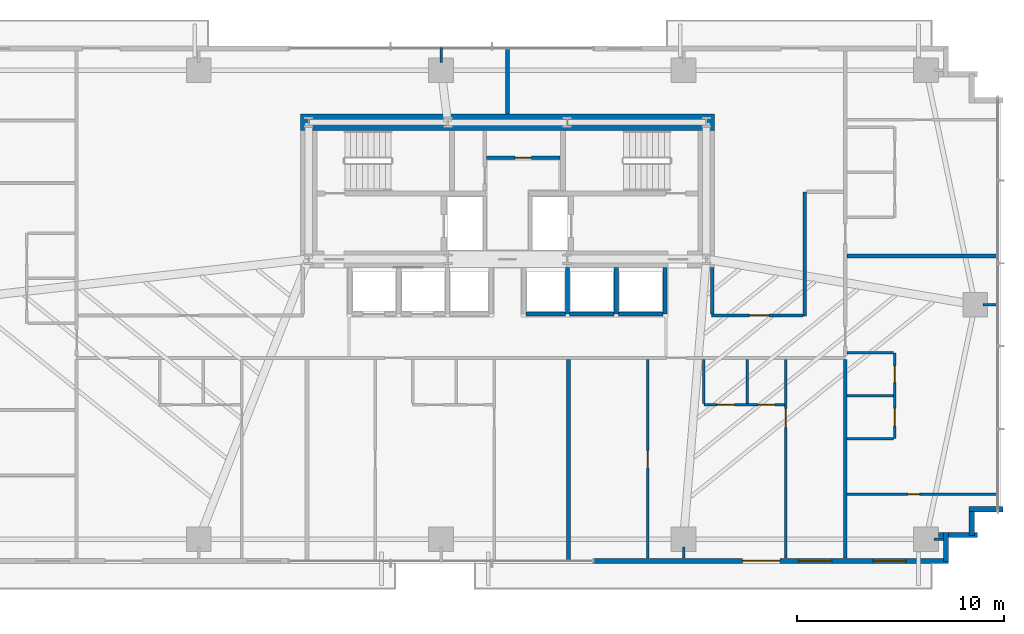
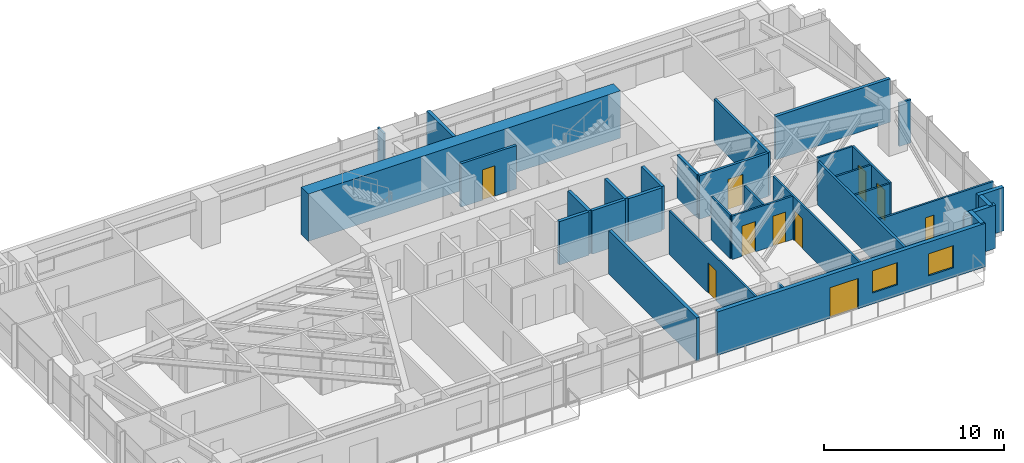
# One storey, part 21 of 25: 34 walls, 10 doors, 2 windows, 12 openings.
"""IFC4 building model written with IfcOpenShell, lengths in metres."""

import ifcopenshell
import ifcopenshell.guid

model = None  # the IFC model being written
_history = None  # IfcOwnerHistory: only IFC2X3 demands one
_inside = {}  # id of a spatial element -> (the spatial element, [elements in it])
_under = {}  # id of a project, library or spatial element -> (it, [spatial elements below it])
_declared = {}  # id of a project -> (the project, [libraries it declares])
_typed = {}  # id of a type object -> (the type object, [elements of that type])
_made_of = {}  # id of a material, layer set ... -> (it, [elements and type objects made of it])


def new_model(schema):
    """Start an empty IFC model of exactly this schema.

    Asked for "IFC4X3", IfcOpenShell would pick the latest addendum, in which some entities
    have other attributes; the version numbers below select the first issue.
    IFC2X3 requires an IfcOwnerHistory on every rooted entity: one is made here for all.
    """
    global model, _history
    if schema == "IFC4X3":
        model = ifcopenshell.file(schema_version=(4, 3, 0, 0))
    else:
        model = ifcopenshell.file(schema=schema)
    _inside.clear()
    _under.clear()
    _declared.clear()
    _typed.clear()
    _made_of.clear()
    _history = None
    if model.schema == "IFC2X3":
        org = make("IfcOrganization", Name="unknown")
        user = make(
            "IfcPersonAndOrganization",
            ThePerson=make("IfcPerson", FamilyName="unknown"),
            TheOrganization=org,
        )
        app = make(
            "IfcApplication",
            ApplicationDeveloper=org,
            Version="unknown",
            ApplicationFullName="unknown",
            ApplicationIdentifier="unknown",
        )
        _history = make(
            "IfcOwnerHistory",
            OwningUser=user,
            OwningApplication=app,
            ChangeAction="ADDED",
            CreationDate=0,
        )
    return model


def make(cls, **values):
    """One entity of the class cls with the attributes given. An attribute that is None is left unset."""
    return model.create_entity(
        cls, **{name: value for name, value in values.items() if value is not None}
    )


def rooted(cls, **values):
    """An entity with a GlobalId (a new one), such as an element, a storey or a relation."""
    return make(cls, GlobalId=ifcopenshell.guid.new(), OwnerHistory=_history, **values)


def si_unit(unit_type, name, prefix=None):
    """IfcSIUnit, for example si_unit("LENGTHUNIT", "METRE", prefix="MILLI")."""
    return make("IfcSIUnit", UnitType=unit_type, Prefix=prefix, Name=name)


def assignment(units):
    """IfcUnitAssignment: the units of a project."""
    return None if units is None else make("IfcUnitAssignment", Units=units)


def point(xyz):
    """IfcCartesianPoint."""
    return None if xyz is None else make("IfcCartesianPoint", Coordinates=xyz)


def direction(xyz):
    """IfcDirection."""
    return None if xyz is None else make("IfcDirection", DirectionRatios=xyz)


def frame(location, z_axis=None, x_axis=None):
    """IfcAxis2Placement3D, a coordinate frame: its origin and axes. An axis left out is left unset."""
    return make(
        "IfcAxis2Placement3D",
        Location=point(location),
        Axis=direction(z_axis),
        RefDirection=direction(x_axis),
    )


def frame_2d(location, x_axis=None):
    """IfcAxis2Placement2D, a coordinate frame in the plane: its origin and x axis."""
    return make(
        "IfcAxis2Placement2D", Location=point(location), RefDirection=direction(x_axis)
    )


def origin():
    """The frame at (0, 0, 0) with its axes left unset."""
    return frame((0.0, 0.0, 0.0))


def place(relative_to, where):
    """IfcLocalPlacement: puts the frame where relative to a parent placement (None: the world)."""
    return make(
        "IfcLocalPlacement", PlacementRelTo=relative_to, RelativePlacement=where
    )


def context(
    kind, dimensions, precision=None, world=None, true_north=None, identifier=None
):
    """IfcGeometricRepresentationContext, for example the 3D "Model" context."""
    return make(
        "IfcGeometricRepresentationContext",
        ContextIdentifier=identifier,
        ContextType=kind,
        CoordinateSpaceDimension=dimensions,
        Precision=precision,
        WorldCoordinateSystem=world,
        TrueNorth=true_north,
    )


def subcontext(parent, identifier, kind, view, scale=None):
    """IfcGeometricRepresentationSubContext, for example "Body" below "Model"."""
    return make(
        "IfcGeometricRepresentationSubContext",
        ContextIdentifier=identifier,
        ContextType=kind,
        ParentContext=parent,
        TargetScale=scale,
        TargetView=view,
    )


def project(units=None, contexts=None):
    """IfcProject with its units and contexts."""
    return rooted(
        "IfcProject",
        Name="project",
        RepresentationContexts=contexts,
        UnitsInContext=assignment(units),
    )


def spatial(cls, under=None, at=None, **own):
    """A site, building, storey or space (cls), placed at a placement, below another one or the project."""
    s = rooted(cls, ObjectPlacement=at, **own)
    if under is not None:
        _under.setdefault(under.id(), (under, []))[1].append(s)
    return s


def profile(cls, at=None, kind="AREA", **sizes):
    """A parametric profile (cls). Its sizes go by their IFC names, for example OverallWidth=200.0."""
    return make(cls, ProfileType=kind, Position=at, **sizes)


def rectangle(**sizes):
    """IfcRectangleProfileDef."""
    return profile("IfcRectangleProfileDef", **sizes)


def extrude(swept, where, along, depth):
    """IfcExtrudedAreaSolid: the profile swept, set in the frame where, extruded along a direction by depth."""
    return make(
        "IfcExtrudedAreaSolid",
        SweptArea=swept,
        Position=where,
        ExtrudedDirection=direction(along),
        Depth=depth,
    )


def shape(context_of_items, identifier, shape_type, items):
    """IfcShapeRepresentation: the items that make up one representation, for example the "Body"."""
    return make(
        "IfcShapeRepresentation",
        ContextOfItems=context_of_items,
        RepresentationIdentifier=identifier,
        RepresentationType=shape_type,
        Items=items,
    )


def source(mapping_origin, context_of_items, identifier, shape_type, items):
    """IfcRepresentationMap: a shape defined once, which mapped items show again and again."""
    return make(
        "IfcRepresentationMap",
        MappingOrigin=mapping_origin,
        MappedRepresentation=shape(context_of_items, identifier, shape_type, items),
    )


def transform(
    local_origin,
    x_axis=None,
    y_axis=None,
    z_axis=None,
    scale=None,
    scale2=None,
    scale3=None,
    uniform=True,
):
    """IfcCartesianTransformationOperator3D, or its non-uniform kind. x_axis, y_axis, z_axis: its Axis1, 2, 3."""
    if uniform:
        return make(
            "IfcCartesianTransformationOperator3D",
            Axis1=direction(x_axis),
            Axis2=direction(y_axis),
            LocalOrigin=point(local_origin),
            Scale=scale,
            Axis3=direction(z_axis),
        )
    return make(
        "IfcCartesianTransformationOperator3DnonUniform",
        Axis1=direction(x_axis),
        Axis2=direction(y_axis),
        LocalOrigin=point(local_origin),
        Scale=scale,
        Axis3=direction(z_axis),
        Scale2=scale2,
        Scale3=scale3,
    )


def mapped(mapping_source, mapping_target):
    """IfcMappedItem: shows the shape of a source again, moved by a transform."""
    return make(
        "IfcMappedItem", MappingSource=mapping_source, MappingTarget=mapping_target
    )


def material(Name=None, Category=None):
    """IfcMaterial."""
    return make("IfcMaterial", Name=Name, Category=Category)


def layer(
    of_material, thickness, ventilated=None, Name=None, Category=None, Priority=None
):
    """IfcMaterialLayer: one layer of a wall or slab, of a material (None: an air gap)."""
    return make(
        "IfcMaterialLayer",
        Material=of_material,
        LayerThickness=thickness,
        IsVentilated=ventilated,
        Name=Name,
        Category=Category,
        Priority=Priority,
    )


def layer_set(layers, Name=None):
    """IfcMaterialLayerSet."""
    return make("IfcMaterialLayerSet", MaterialLayers=layers, LayerSetName=Name)


def made_of(thing, what):
    """Note that an element or type object is made of a material, layer set ...; save() writes the relation."""
    if what is not None:
        _made_of.setdefault(what.id(), (what, []))[1].append(thing)
    return thing


def type_object(cls, material=None, **own):
    """A type object (cls), such as IfcWallType, which elements share."""
    return made_of(rooted(cls, **own), material)


def type_shapes(of_type, sources):
    """Give a type object the sources (RepresentationMaps) that its elements show as mapped items."""
    of_type.RepresentationMaps = sources


def element(
    cls,
    number,
    at=None,
    inside=None,
    cuts=None,
    type_object=None,
    material=None,
    context=None,
    identifier="Body",
    shape_type=None,
    held_by="IfcProductDefinitionShape",
    body=None,
    shapes=None,
    **own,
):
    """One element of the class cls, such as IfcWall. Its Tag is "e" and its number.

    at: its placement. inside: the storey or other place that contains it. cuts: it is an
    opening in that element (IfcRelVoidsElement). A single representation is given by context,
    identifier, shape_type and body (its items); several are given by shapes. held_by: the class
    of the entity that holds the representations. save() writes the other relations.
    """
    e = rooted(cls, Tag="e%d" % number, ObjectPlacement=at, **own)
    if body is not None:
        shapes = [shape(context, identifier, shape_type, body)]
    if shapes is not None:
        e.Representation = make(held_by, Representations=shapes)
    if inside is not None:
        _inside.setdefault(inside.id(), (inside, []))[1].append(e)
    if cuts is not None:
        rooted(
            "IfcRelVoidsElement", RelatingBuildingElement=cuts, RelatedOpeningElement=e
        )
    if type_object is not None:
        _typed.setdefault(type_object.id(), (type_object, []))[1].append(e)
    return made_of(e, material)


def fill(opening, filler):
    """IfcRelFillsElement: the door or window that sits in an opening."""
    return rooted(
        "IfcRelFillsElement",
        RelatingOpeningElement=opening,
        RelatedBuildingElement=filler,
    )


def aggregate(whole, parts):
    """IfcRelAggregates: a whole, such as a stair, and the parts it consists of."""
    return rooted("IfcRelAggregates", RelatingObject=whole, RelatedObjects=parts)


def save(model, path):
    """Write the relations noted so far, then the file.

    IfcRelAggregates (storeys below a building ...), IfcRelContainedInSpatialStructure (elements
    in a storey), IfcRelDefinesByType, IfcRelAssociatesMaterial and IfcRelDeclares: one each for
    every whole, place, type object, material and project.
    """
    for whole, parts in _under.values():
        aggregate(whole, parts)
    for where, things in _inside.values():
        rooted(
            "IfcRelContainedInSpatialStructure",
            RelatedElements=things,
            RelatingStructure=where,
        )
    for kind, things in _typed.values():
        rooted("IfcRelDefinesByType", RelatedObjects=things, RelatingType=kind)
    for what, things in _made_of.values():
        rooted("IfcRelAssociatesMaterial", RelatedObjects=things, RelatingMaterial=what)
    for by, libraries in _declared.values():
        rooted("IfcRelDeclares", RelatingContext=by, RelatedDefinitions=libraries)
    model.write(path)


model = new_model("IFC4")

# Units and contexts
model_context = context("Model", 3, precision=1e-05, world=origin(), true_north=direction((0.0, 1.0)))
body_context = subcontext(model_context, "Body", "Model", "MODEL_VIEW")
ifc_project = project(units=[si_unit("LENGTHUNIT", "METRE"), si_unit("AREAUNIT", "SQUARE_METRE"), si_unit("VOLUMEUNIT", "CUBIC_METRE"), si_unit("PLANEANGLEUNIT", "RADIAN"), si_unit("MASSUNIT", "GRAM", prefix="KILO")], contexts=[model_context])

# Site, building, storey
site_placement = place(None, origin())
site = spatial("IfcSite", under=ifc_project, at=site_placement, CompositionType="ELEMENT")
building_placement = place(site_placement, origin())
building = spatial("IfcBuilding", under=site, at=building_placement, Name="Astriad Promenade Condominiums", CompositionType="ELEMENT")
storey_placement = place(building_placement, frame((0.0, 0.0, 48.60009765625)))
storey = spatial("IfcBuildingStorey", under=building, at=storey_placement, Name="L13", CompositionType="ELEMENT", Elevation=48.60009765625)

# Wall
ifc_material_1 = material(Name="Concrete C80/95", Category="concrete")
ifc_layer_1 = layer(ifc_material_1, 0.800048828125)
ifc_layer_set_1 = layer_set([ifc_layer_1], Name="Concrete C80/95")
wall_type_1 = type_object("IfcWallType", Name="CW-SHEAR-800", PredefinedType="SHEAR", material=ifc_layer_set_1)
wall_1_placement = place(storey_placement, frame((26.0, 24.0, 0.0), z_axis=(0.0, 0.0, 1.0), x_axis=(1.0, 0.0, 0.0)))
element("IfcWall", 1, at=wall_1_placement, inside=storey, type_object=wall_type_1, Name="CW-CORE-N-L13", PredefinedType="SHEAR", context=body_context, shape_type="SweptSolid", body=[
    extrude(rectangle(XDim=20.0, YDim=0.800048828125, at=frame_2d((10.0, 0.0))), origin(), (0.0, 0.0, 1.0), 3.199951171875),
])

# Wall, opening, door
ifc_material_2 = material(Name="Fire-Rated Gypsum Partition")
ifc_layer_2 = layer(ifc_material_2, 0.159912109375)
ifc_layer_set_2 = layer_set([ifc_layer_2], Name="Fire-Rated Gypsum Partition")
wall_type_2 = type_object("IfcWallType", Name="WALL-CORR-160", PredefinedType="PARTITIONING", material=ifc_layer_set_2)
wall_2_placement = place(storey_placement, frame((34.98193359375, 22.300048828125, 0.0), z_axis=(0.0, 0.0, 1.0), x_axis=(1.0, 0.0, 0.0)))
wall_2 = element("IfcWall", 2, at=wall_2_placement, inside=storey, type_object=wall_type_2, Name="CW-AUX-N-L13", PredefinedType="PARTITIONING", context=body_context, shape_type="SweptSolid", body=[
    extrude(rectangle(XDim=3.566162109375, YDim=0.159912109375, at=frame_2d((1.783203125, 0.0))), origin(), (0.0, 0.0, 1.0), 2.93994140625),
])
opening_1_placement = place(wall_2_placement, frame((1.3779296875, 0.0, 0.0)))
opening_1 = element("IfcOpeningElement", 3, at=opening_1_placement, cuts=wall_2, Name="Opening FD60-SV-080", PredefinedType="OPENING", context=body_context, shape_type="SweptSolid", body=[
    extrude(rectangle(XDim=0.800048828125, YDim=2.050048828125, at=frame_2d((0.39990234375, 1.02490234375))), frame((0.0, 0.08984375, 0.0), z_axis=(0.0, -1.0, 0.0), x_axis=(1.0, 0.0, 0.0)), (0.0, 0.0, 1.0), 0.179931640625),
])
ifc_material_3 = material(Name="Fire-Rated Riser Closet Door")
door_type_1 = type_object("IfcDoorType", Name="FD60-SV-080", OperationType="NOTDEFINED", PredefinedType="DOOR", material=ifc_material_3)
shared_shape_1 = source(origin(), body_context, "Body", "SweptSolid", [
    extrude(rectangle(XDim=0.800048828125, YDim=2.050048828125, at=frame_2d((0.39990234375, 1.02490234375))), frame((0.0, 0.02490234375, 0.0), z_axis=(0.0, -1.0, 0.0), x_axis=(1.0, 0.0, 0.0)), (0.0, 0.0, 1.0), 0.050048828125),
])
type_shapes(door_type_1, [shared_shape_1])
door_1_placement = place(opening_1_placement, origin())
door_1 = element("IfcDoor", 4, at=door_1_placement, inside=storey, type_object=door_type_1, Name="D-AUX2-L13", OperationType="SINGLE_SWING_RIGHT", OverallHeight=2.050048828125, OverallWidth=0.800048828125, PredefinedType="DOOR", context=body_context, shape_type="MappedRepresentation", body=[
    mapped(shared_shape_1, transform((0.0, 0.0, 0.0), scale=1.0)),
])
fill(opening_1, door_1)

# Walls
wall_3_placement = place(storey_placement, frame((52.300048828125, 2.9619140625, 0.0), z_axis=(0.0, 0.0, 1.0), x_axis=(0.0, 1.0, 0.0)))
element("IfcWall", 5, at=wall_3_placement, inside=storey, type_object=wall_type_2, Name="PT-COR-E-L13", PredefinedType="PARTITIONING", context=body_context, shape_type="SweptSolid", body=[
    extrude(rectangle(XDim=9.586181640625, YDim=0.159912109375, at=frame_2d((4.79296875, 0.0))), origin(), (0.0, 0.0, 1.0), 2.93994140625),
])
wall_4_placement = place(storey_placement, frame((50.35009765625, 14.659912109375, 0.0), z_axis=(0.0, 0.0, 1.0), x_axis=(0.0, 1.0, 0.0)))
element("IfcWall", 6, at=wall_4_placement, inside=storey, type_object=wall_type_2, Name="PT-EALC-W-L13", PredefinedType="PARTITIONING", context=body_context, shape_type="SweptSolid", body=[
    extrude(rectangle(XDim=5.989990234375, YDim=0.159912109375, at=frame_2d((2.9951171875, 0.0))), origin(), (0.0, 0.0, 1.0), 2.93994140625),
])

# Wall, opening, door
wall_5_placement = place(storey_placement, frame((45.840087890625, 14.679931640625, 0.0), z_axis=(0.0, 0.0, 1.0), x_axis=(1.0, 0.0, 0.0)))
wall_5 = element("IfcWall", 7, at=wall_5_placement, inside=storey, type_object=wall_type_2, Name="PT-FLK-NE-L13", PredefinedType="PARTITIONING", context=body_context, shape_type="SweptSolid", body=[
    extrude(rectangle(XDim=4.427978515625, YDim=0.159912109375, at=frame_2d((2.2138671875, 0.0))), origin(), (0.0, 0.0, 1.0), 2.93994140625),
])
opening_2_placement = place(wall_5_placement, frame((1.840087890625, 0.0, 0.0)))
opening_2 = element("IfcOpeningElement", 8, at=opening_2_placement, cuts=wall_5, Name="Opening FD60-APT-095", PredefinedType="OPENING", context=body_context, shape_type="SweptSolid", body=[
    extrude(rectangle(XDim=0.949951171875, YDim=2.06005859375, at=frame_2d((0.47509765625, 1.030029296875))), frame((0.0, 0.08984375, 0.0), z_axis=(0.0, -1.0, 0.0), x_axis=(1.0, 0.0, 0.0)), (0.0, 0.0, 1.0), 0.179931640625),
])
ifc_material_4 = material(Name="Solid-Core Acoustic Timber Residence Entry Door", Category="wood")
door_type_2 = type_object("IfcDoorType", Name="FD60-APT-095", OperationType="NOTDEFINED", PredefinedType="DOOR", material=ifc_material_4)
shared_shape_2 = source(origin(), body_context, "Body", "SweptSolid", [
    extrude(rectangle(XDim=0.949951171875, YDim=2.06005859375, at=frame_2d((0.47509765625, 1.030029296875))), frame((0.0, 0.02490234375, 0.0), z_axis=(0.0, -1.0, 0.0), x_axis=(1.0, 0.0, 0.0)), (0.0, 0.0, 1.0), 0.050048828125),
])
type_shapes(door_type_2, [shared_shape_2])
door_2_placement = place(opening_2_placement, origin())
door_2 = element("IfcDoor", 9, at=door_2_placement, inside=storey, type_object=door_type_2, Name="D-NEA-L13", OperationType="SINGLE_SWING_RIGHT", OverallHeight=2.06005859375, OverallWidth=0.949951171875, PredefinedType="DOOR", context=body_context, shape_type="MappedRepresentation", body=[
    mapped(shared_shape_2, transform((0.0, 0.0, 0.0), scale=1.0)),
])
fill(opening_2, door_2)

# Walls
wall_6_placement = place(storey_placement, frame((45.8798828125, 14.761962890625, 0.0), z_axis=(0.0, 0.0, 1.0), x_axis=(0.0, 1.0, 0.0)))
element("IfcWall", 10, at=wall_6_placement, inside=storey, type_object=wall_type_2, Name="PT-ESPUR-E-L13", PredefinedType="PARTITIONING", context=body_context, shape_type="SweptSolid", body=[
    extrude(rectangle(XDim=2.236083984375, YDim=0.159912109375, at=frame_2d((1.1181640625, 0.0))), origin(), (0.0, 0.0, 1.0), 2.93994140625),
])
ifc_material_5 = material(Name="Acoustic Double-Stud Gypsum Partition")
ifc_layer_3 = layer(ifc_material_5, 0.199951171875)
ifc_layer_set_3 = layer_set([ifc_layer_3], Name="Acoustic Double-Stud Gypsum Partition")
wall_type_3 = type_object("IfcWallType", Name="WALL-DEMISING-200", PredefinedType="PARTITIONING", material=ifc_layer_set_3)
wall_7_placement = place(storey_placement, frame((36.0, 24.402099609375, 0.0), z_axis=(0.0, 0.0, 1.0), x_axis=(0.0, 1.0, 0.0)))
element("IfcWall", 11, at=wall_7_placement, inside=storey, type_object=wall_type_3, Name="PT-NC-MID-L13", PredefinedType="PARTITIONING", context=body_context, shape_type="SweptSolid", body=[
    extrude(rectangle(XDim=3.218017578125, YDim=0.199951171875, at=frame_2d((1.60888671875, 0.0))), origin(), (0.0, 0.0, 1.0), 2.93994140625),
])
wall_8_placement = place(storey_placement, frame((38.944091796875, 2.780029296875, 0.0), z_axis=(0.0, 0.0, 1.0), x_axis=(0.0, 1.0, 0.0)))
element("IfcWall", 12, at=wall_8_placement, inside=storey, type_object=wall_type_3, Name="PT-DEM-S2-L13", PredefinedType="PARTITIONING", context=body_context, shape_type="SweptSolid", body=[
    extrude(rectangle(XDim=9.76806640625, YDim=0.199951171875, at=frame_2d((4.884033203125, 0.0))), origin(), (0.0, 0.0, 1.0), 2.93994140625),
])
wall_9_placement = place(storey_placement, frame((52.382080078125, 17.550048828125, 0.0), z_axis=(0.0, 0.0, 1.0), x_axis=(1.0, 0.0, 0.0)))
element("IfcWall", 13, at=wall_9_placement, inside=storey, type_object=wall_type_3, Name="PT-DEM-EE-L13", PredefinedType="PARTITIONING", context=body_context, shape_type="SweptSolid", body=[
    extrude(rectangle(XDim=7.337890625, YDim=0.199951171875, at=frame_2d((3.6689453125, 0.0))), origin(), (0.0, 0.0, 1.0), 2.93994140625),
])
ifc_material_6 = material(Name="Precast concrete C50/60", Category="concrete")
ifc_layer_4 = layer(ifc_material_6, 0.260009765625)
ifc_layer_set_4 = layer_set([ifc_layer_4], Name="Precast concrete C50/60")
wall_type_4 = type_object("IfcWallType", Name="WALL-EXT-TWR-260", PredefinedType="STANDARD", material=ifc_layer_set_4)
wall_10_placement = place(storey_placement, frame((59.929931640625, 5.330078125, 0.0), z_axis=(0.0, 0.0, 1.0), x_axis=(-1.0, 0.0, 0.0)))
element("IfcWall", 14, at=wall_10_placement, inside=storey, type_object=wall_type_4, Name="W-SER-L13-14", PredefinedType="STANDARD", context=body_context, shape_type="SweptSolid", body=[
    extrude(rectangle(XDim=1.639892578125, YDim=0.260009765625, at=frame_2d((0.81982421875, 0.0))), origin(), (0.0, 0.0, 1.0), 2.93994140625),
])
wall_11_placement = place(storey_placement, frame((58.419921875, 5.215087890625, 0.0), z_axis=(0.0, 0.0, 1.0), x_axis=(0.0, -1.0, 0.0)))
element("IfcWall", 15, at=wall_11_placement, inside=storey, type_object=wall_type_4, Name="W-SER-L13-15", PredefinedType="STANDARD", context=body_context, shape_type="SweptSolid", body=[
    extrude(rectangle(XDim=1.150146484375, YDim=0.260009765625, at=frame_2d((0.5751953125, 0.0))), origin(), (0.0, 0.0, 1.0), 2.93994140625),
])
wall_12_placement = place(storey_placement, frame((58.679931640625, 4.080078125, 0.0), z_axis=(0.0, 0.0, 1.0), x_axis=(-1.0, 0.0, 0.0)))
element("IfcWall", 16, at=wall_12_placement, inside=storey, type_object=wall_type_4, Name="W-SER-L13-16", PredefinedType="STANDARD", context=body_context, shape_type="SweptSolid", body=[
    extrude(rectangle(XDim=1.8779296875, YDim=0.260009765625, at=frame_2d((0.93896484375, 0.0))), origin(), (0.0, 0.0, 1.0), 2.93994140625),
])
wall_13_placement = place(storey_placement, frame((57.169921875, 4.2099609375, 0.0), z_axis=(0.0, 0.0, 1.0), x_axis=(0.0, -1.0, 0.0)))
element("IfcWall", 17, at=wall_13_placement, inside=storey, type_object=wall_type_4, Name="W-SER-L13-17", PredefinedType="STANDARD", context=body_context, shape_type="SweptSolid", body=[
    extrude(rectangle(XDim=1.39501953125, YDim=0.260009765625, at=frame_2d((0.697509765625, 0.0))), origin(), (0.0, 0.0, 1.0), 2.93994140625),
])

# Wall, openings, door, windows
wall_14_placement = place(storey_placement, frame((57.300048828125, 2.830078125, 0.0), z_axis=(0.0, 0.0, 1.0), x_axis=(-1.0, 0.0, 0.0)))
wall_14 = element("IfcWall", 18, at=wall_14_placement, inside=storey, type_object=wall_type_4, Name="W-EXT-L13-S1", PredefinedType="STANDARD", context=body_context, shape_type="SweptSolid", body=[
    extrude(rectangle(XDim=17.150146484375, YDim=0.260009765625, at=frame_2d((8.5751953125, 0.0))), origin(), (0.0, 0.0, 1.0), 2.93994140625),
])
opening_3_placement = place(wall_14_placement, frame((8.14599609375, 0.0, 0.0)))
opening_3 = element("IfcOpeningElement", 19, at=opening_3_placement, cuts=wall_14, Name="Opening BD-1822-SLD", PredefinedType="OPENING", context=body_context, shape_type="SweptSolid", body=[
    extrude(rectangle(XDim=1.800048828125, YDim=2.06005859375, at=frame_2d((0.89990234375, 1.030029296875))), frame((0.0, 0.139892578125, 0.0), z_axis=(0.0, -1.0, 0.0), x_axis=(1.0, 0.0, 0.0)), (0.0, 0.0, 1.0), 0.280029296875),
])
opening_4_placement = place(wall_14_placement, frame((2.050048828125, 0.0, 0.64990234375)))
opening_4 = element("IfcOpeningElement", 20, at=opening_4_placement, cuts=wall_14, Name="Opening WIN-TWR-1620", PredefinedType="OPENING", context=body_context, shape_type="SweptSolid", body=[
    extrude(rectangle(XDim=1.60009765625, YDim=1.5, at=frame_2d((0.800048828125, 0.75))), frame((0.0, 0.139892578125, 0.0), z_axis=(0.0, -1.0, 0.0), x_axis=(1.0, 0.0, 0.0)), (0.0, 0.0, 1.0), 0.280029296875),
])
opening_5_placement = place(wall_14_placement, frame((5.64404296875, 0.0, 0.75)))
opening_5 = element("IfcOpeningElement", 21, at=opening_5_placement, cuts=wall_14, Name="Opening WIN-TWR-1620", PredefinedType="OPENING", context=body_context, shape_type="SweptSolid", body=[
    extrude(rectangle(XDim=1.60009765625, YDim=1.5, at=frame_2d((0.800048828125, 0.75))), frame((0.0, 0.139892578125, 0.0), z_axis=(0.0, -1.0, 0.0), x_axis=(1.0, 0.0, 0.0)), (0.0, 0.0, 1.0), 0.280029296875),
])
ifc_material_7 = material(Name="Thermally Broken Aluminium Sliding Balcony Door", Category="aluminium")
door_type_3 = type_object("IfcDoorType", Name="BD-1822-SLD", OperationType="NOTDEFINED", PredefinedType="DOOR", material=ifc_material_7)
shared_shape_3 = source(origin(), body_context, "Body", "SweptSolid", [
    extrude(rectangle(XDim=1.800048828125, YDim=2.06005859375, at=frame_2d((0.89990234375, 1.030029296875))), frame((0.0, 0.02490234375, 0.0), z_axis=(0.0, -1.0, 0.0), x_axis=(1.0, 0.0, 0.0)), (0.0, 0.0, 1.0), 0.050048828125),
])
type_shapes(door_type_3, [shared_shape_3])
door_3_placement = place(opening_3_placement, origin())
door_3 = element("IfcDoor", 22, at=door_3_placement, inside=storey, type_object=door_type_3, Name="BD-L13-SE", OperationType="SLIDING_TO_RIGHT", OverallHeight=2.06005859375, OverallWidth=1.800048828125, PredefinedType="DOOR", context=body_context, shape_type="MappedRepresentation", body=[
    mapped(shared_shape_3, transform((0.0, 0.0, 0.0), scale=1.0)),
])
fill(opening_3, door_3)
ifc_material_8 = material(Name="Dark Tinted Triple-Glazed Aluminium Window", Category="aluminium")
window_type = type_object("IfcWindowType", Name="WIN-TWR-1620", PartitioningType="SINGLE_PANEL", PredefinedType="WINDOW", material=ifc_material_8)
shared_shape_4 = source(origin(), body_context, "Body", "SweptSolid", [
    extrude(rectangle(XDim=1.60009765625, YDim=1.5, at=frame_2d((0.800048828125, 0.75))), frame((0.0, 0.030029296875, 0.0), z_axis=(0.0, -1.0, 0.0), x_axis=(1.0, 0.0, 0.0)), (0.0, 0.0, 1.0), 0.06005859375),
])
type_shapes(window_type, [shared_shape_4])
window_1_placement = place(opening_4_placement, origin())
window_1 = element("IfcWindow", 23, at=window_1_placement, inside=storey, type_object=window_type, Name="WIN-L13-SE", OverallHeight=1.5, OverallWidth=1.60009765625, PartitioningType="SINGLE_PANEL", PredefinedType="WINDOW", context=body_context, shape_type="MappedRepresentation", body=[
    mapped(shared_shape_4, transform((0.0, 0.0, 0.0), scale=1.0)),
])
fill(opening_4, window_1)
window_2_placement = place(opening_5_placement, origin())
window_2 = element("IfcWindow", 24, at=window_2_placement, inside=storey, type_object=window_type, Name="WIN-DW-L13-S3-BD1", OverallHeight=1.5, OverallWidth=1.60009765625, PartitioningType="SINGLE_PANEL", PredefinedType="WINDOW", context=body_context, shape_type="MappedRepresentation", body=[
    mapped(shared_shape_4, transform((0.0, 0.0, 0.0), scale=1.0)),
])
fill(opening_5, window_2)

# Wall, opening, door
ifc_material_9 = material(Name="Acoustic Metal-Stud Gypsum Partition")
ifc_layer_5 = layer(ifc_material_9, 0.1201171875)
ifc_layer_set_5 = layer_set([ifc_layer_5], Name="Acoustic Metal-Stud Gypsum Partition")
wall_type_5 = type_object("IfcWallType", Name="WALL-PART-120", PredefinedType="PARTITIONING", material=ifc_layer_set_5)
wall_15_placement = place(storey_placement, frame((49.430908203125, 2.9619140625, 0.0), z_axis=(0.0, 0.0, 1.0), x_axis=(0.0, 1.0, 0.0)))
wall_15 = element("IfcWall", 25, at=wall_15_placement, inside=storey, type_object=wall_type_5, Name="PT-L13-S3-BD1", PredefinedType="PARTITIONING", context=body_context, shape_type="SweptSolid", body=[
    extrude(rectangle(XDim=9.586181640625, YDim=0.1201171875, at=frame_2d((4.79296875, 0.0))), origin(), (0.0, 0.0, 1.0), 2.93994140625),
])
opening_6_placement = place(wall_15_placement, frame((6.318115234375, 0.0, 0.0)))
opening_6 = element("IfcOpeningElement", 26, at=opening_6_placement, cuts=wall_15, Name="Opening D-INT-090", PredefinedType="OPENING", context=body_context, shape_type="SweptSolid", body=[
    extrude(rectangle(XDim=0.89990234375, YDim=2.050048828125, at=frame_2d((0.449951171875, 1.02490234375))), frame((0.0, 0.070068359375, 0.0), z_axis=(0.0, -1.0, 0.0), x_axis=(1.0, 0.0, 0.0)), (0.0, 0.0, 1.0), 0.14013671875),
])
ifc_material_10 = material(Name="Painted Solid-Core Timber Bedroom Door", Category="wood")
door_type_4 = type_object("IfcDoorType", Name="D-INT-090", OperationType="NOTDEFINED", PredefinedType="DOOR", material=ifc_material_10)
shared_shape_5 = source(origin(), body_context, "Body", "SweptSolid", [
    extrude(rectangle(XDim=0.89990234375, YDim=2.050048828125, at=frame_2d((0.449951171875, 1.02490234375))), frame((0.0, 0.02490234375, 0.0), z_axis=(0.0, -1.0, 0.0), x_axis=(1.0, 0.0, 0.0)), (0.0, 0.0, 1.0), 0.050048828125),
])
type_shapes(door_type_4, [shared_shape_5])
door_4_placement = place(opening_6_placement, origin())
door_4 = element("IfcDoor", 27, at=door_4_placement, inside=storey, type_object=door_type_4, Name="D-BD1-L13-S3", OperationType="SINGLE_SWING_RIGHT", OverallHeight=2.050048828125, OverallWidth=0.89990234375, PredefinedType="DOOR", context=body_context, shape_type="MappedRepresentation", body=[
    mapped(shared_shape_5, transform((0.0, 0.0, 0.0), scale=1.0)),
])
fill(opening_6, door_4)

# Wall, openings, doors
wall_16_placement = place(storey_placement, frame((45.48095703125, 10.3798828125, 0.0), z_axis=(0.0, 0.0, 1.0), x_axis=(1.0, 0.0, 0.0)))
wall_16 = element("IfcWall", 28, at=wall_16_placement, inside=storey, type_object=wall_type_5, Name="PT-L13-S3-PS", PredefinedType="PARTITIONING", context=body_context, shape_type="SweptSolid", body=[
    extrude(rectangle(XDim=3.887939453125, YDim=0.1201171875, at=frame_2d((1.94384765625, 0.0))), origin(), (0.0, 0.0, 1.0), 2.93994140625),
])
opening_7_placement = place(wall_16_placement, frame((0.625, 0.0, 0.0)))
opening_7 = element("IfcOpeningElement", 29, at=opening_7_placement, cuts=wall_16, Name="Opening D-INT-085", PredefinedType="OPENING", context=body_context, shape_type="SweptSolid", body=[
    extrude(rectangle(XDim=0.85009765625, YDim=2.050048828125, at=frame_2d((0.425048828125, 1.02490234375))), frame((0.0, 0.070068359375, 0.0), z_axis=(0.0, -1.0, 0.0), x_axis=(1.0, 0.0, 0.0)), (0.0, 0.0, 1.0), 0.14013671875),
])
opening_8_placement = place(wall_16_placement, frame((2.625, 0.0, 0.0)))
opening_8 = element("IfcOpeningElement", 30, at=opening_8_placement, cuts=wall_16, Name="Opening D-WET-080", PredefinedType="OPENING", context=body_context, shape_type="SweptSolid", body=[
    extrude(rectangle(XDim=0.800048828125, YDim=2.02001953125, at=frame_2d((0.39990234375, 1.010009765625))), frame((0.0, 0.070068359375, 0.0), z_axis=(0.0, -1.0, 0.0), x_axis=(1.0, 0.0, 0.0)), (0.0, 0.0, 1.0), 0.14013671875),
])
ifc_material_11 = material(Name="Moisture-Resistant Timber Bathroom Door", Category="wood")
door_type_5 = type_object("IfcDoorType", Name="D-WET-080", OperationType="NOTDEFINED", PredefinedType="DOOR", material=ifc_material_11)
shared_shape_6 = source(origin(), body_context, "Body", "SweptSolid", [
    extrude(rectangle(XDim=0.800048828125, YDim=2.02001953125, at=frame_2d((0.39990234375, 1.010009765625))), frame((0.0, 0.02490234375, 0.0), z_axis=(0.0, -1.0, 0.0), x_axis=(1.0, 0.0, 0.0)), (0.0, 0.0, 1.0), 0.050048828125),
])
type_shapes(door_type_5, [shared_shape_6])
door_5_placement = place(opening_8_placement, origin())
door_5 = element("IfcDoor", 31, at=door_5_placement, inside=storey, type_object=door_type_5, Name="D-BTH-L13-S3", OperationType="SINGLE_SWING_RIGHT", OverallHeight=2.02001953125, OverallWidth=0.800048828125, PredefinedType="DOOR", context=body_context, shape_type="MappedRepresentation", body=[
    mapped(shared_shape_6, transform((0.0, 0.0, 0.0), scale=1.0)),
])
fill(opening_8, door_5)
ifc_material_12 = material(Name="Painted Solid-Core Timber Room Door", Category="wood")
door_type_6 = type_object("IfcDoorType", Name="D-INT-085", OperationType="NOTDEFINED", PredefinedType="DOOR", material=ifc_material_12)
shared_shape_7 = source(origin(), body_context, "Body", "SweptSolid", [
    extrude(rectangle(XDim=0.85009765625, YDim=2.050048828125, at=frame_2d((0.425048828125, 1.02490234375))), frame((0.0, 0.02490234375, 0.0), z_axis=(0.0, -1.0, 0.0), x_axis=(1.0, 0.0, 0.0)), (0.0, 0.0, 1.0), 0.050048828125),
])
type_shapes(door_type_6, [shared_shape_7])
door_6_placement = place(opening_7_placement, origin())
door_6 = element("IfcDoor", 32, at=door_6_placement, inside=storey, type_object=door_type_6, Name="D-KIT-L13-S3", OperationType="SINGLE_SWING_LEFT", OverallHeight=2.050048828125, OverallWidth=0.85009765625, PredefinedType="DOOR", context=body_context, shape_type="MappedRepresentation", body=[
    mapped(shared_shape_7, transform((0.0, 0.0, 0.0), scale=1.0)),
])
fill(opening_7, door_6)

# Walls
for number, where, z_axis, x_axis, name in (
    (33, (47.5810546875, 10.44189453125, 0.0), (0.0, 0.0, 1.0), (0.0, 1.0, 0.0), "PT-L13-S3-PBK"),
    (34, (45.48095703125, 10.44189453125, 0.0), (0.0, 0.0, 1.0), (0.0, 1.0, 0.0), "PT-L13-S3-PKW"),
):
    element("IfcWall", number, at=place(storey_placement, frame(where, z_axis=z_axis, x_axis=x_axis)), inside=storey, type_object=wall_type_5, Name=name, PredefinedType="PARTITIONING", context=body_context, shape_type="SweptSolid", body=[
        extrude(rectangle(XDim=2.106201171875, YDim=0.1201171875, at=frame_2d((1.05322265625, 0.0))), origin(), (0.0, 0.0, 1.0), 2.93994140625),
    ])

# Wall, opening, door
wall_17_placement = place(storey_placement, frame((42.761962890625, 2.9619140625, 0.0), z_axis=(0.0, 0.0, 1.0), x_axis=(0.0, 1.0, 0.0)))
wall_17 = element("IfcWall", 35, at=wall_17_placement, inside=storey, type_object=wall_type_5, Name="PT-L13-S3-CAP1", PredefinedType="PARTITIONING", context=body_context, shape_type="SweptSolid", body=[
    extrude(rectangle(XDim=9.586181640625, YDim=0.1201171875, at=frame_2d((4.79296875, 0.0))), origin(), (0.0, 0.0, 1.0), 2.93994140625),
])
opening_9_placement = place(wall_17_placement, frame((4.35791015625, 0.0, 0.0)))
opening_9 = element("IfcOpeningElement", 36, at=opening_9_placement, cuts=wall_17, Name="Opening D-INT-085", PredefinedType="OPENING", context=body_context, shape_type="SweptSolid", body=[
    extrude(rectangle(XDim=0.85009765625, YDim=2.050048828125, at=frame_2d((0.425048828125, 1.02490234375))), frame((0.0, 0.070068359375, 0.0), z_axis=(0.0, -1.0, 0.0), x_axis=(1.0, 0.0, 0.0)), (0.0, 0.0, 1.0), 0.14013671875),
])
door_7_placement = place(opening_9_placement, origin())
door_7 = element("IfcDoor", 37, at=door_7_placement, inside=storey, type_object=door_type_6, Name="D-CAP1-L13-S3", OperationType="SINGLE_SWING_RIGHT", OverallHeight=2.050048828125, OverallWidth=0.85009765625, PredefinedType="DOOR", context=body_context, shape_type="MappedRepresentation", body=[
    mapped(shared_shape_7, transform((0.0, 0.0, 0.0), scale=1.0)),
])
fill(opening_9, door_7)

# Wall, openings, doors
wall_18_placement = place(storey_placement, frame((54.699951171875, 8.72998046875, 0.0), z_axis=(0.0, 0.0, 1.0), x_axis=(0.0, 1.0, 0.0)))
wall_18 = element("IfcWall", 38, at=wall_18_placement, inside=storey, type_object=wall_type_5, Name="PT-L13-E1-PV", PredefinedType="PARTITIONING", context=body_context, shape_type="SweptSolid", body=[
    extrude(rectangle(XDim=4.14990234375, YDim=0.1201171875, at=frame_2d((2.074951171875, 0.0))), origin(), (0.0, 0.0, 1.0), 2.93994140625),
])
opening_10_placement = place(wall_18_placement, frame((0.613037109375, 0.0, 0.0)))
opening_10 = element("IfcOpeningElement", 39, at=opening_10_placement, cuts=wall_18, Name="Opening D-INT-085", PredefinedType="OPENING", context=body_context, shape_type="SweptSolid", body=[
    extrude(rectangle(XDim=0.85009765625, YDim=2.050048828125, at=frame_2d((0.425048828125, 1.02490234375))), frame((0.0, 0.070068359375, 0.0), z_axis=(0.0, -1.0, 0.0), x_axis=(1.0, 0.0, 0.0)), (0.0, 0.0, 1.0), 0.14013671875),
])
opening_11_placement = place(wall_18_placement, frame((2.712890625, 0.0, 0.0)))
opening_11 = element("IfcOpeningElement", 40, at=opening_11_placement, cuts=wall_18, Name="Opening D-WET-080", PredefinedType="OPENING", context=body_context, shape_type="SweptSolid", body=[
    extrude(rectangle(XDim=0.800048828125, YDim=2.02001953125, at=frame_2d((0.39990234375, 1.010009765625))), frame((0.0, 0.070068359375, 0.0), z_axis=(0.0, -1.0, 0.0), x_axis=(1.0, 0.0, 0.0)), (0.0, 0.0, 1.0), 0.14013671875),
])
door_8_placement = place(opening_11_placement, origin())
door_8 = element("IfcDoor", 41, at=door_8_placement, inside=storey, type_object=door_type_5, Name="D-BTH-L13-E1", OperationType="SINGLE_SWING_LEFT", OverallHeight=2.02001953125, OverallWidth=0.800048828125, PredefinedType="DOOR", context=body_context, shape_type="MappedRepresentation", body=[
    mapped(shared_shape_6, transform((0.0, 0.0, 0.0), scale=1.0)),
])
fill(opening_11, door_8)
door_9_placement = place(opening_10_placement, origin())
door_9 = element("IfcDoor", 42, at=door_9_placement, inside=storey, type_object=door_type_6, Name="D-KIT-L13-E1", OperationType="SINGLE_SWING_RIGHT", OverallHeight=2.050048828125, OverallWidth=0.85009765625, PredefinedType="DOOR", context=body_context, shape_type="MappedRepresentation", body=[
    mapped(shared_shape_7, transform((0.0, 0.0, 0.0), scale=1.0)),
])
fill(opening_10, door_9)

# Walls
for number, where, z_axis, x_axis, name in (
    (43, (52.382080078125, 10.804931640625, 0.0), (0.0, 0.0, 1.0), (1.0, 0.0, 0.0), "PT-L13-E1-PM"),
    (44, (52.382080078125, 8.72998046875, 0.0), (0.0, 0.0, 1.0), (1.0, 0.0, 0.0), "PT-L13-E1-PS"),
    (45, (52.382080078125, 12.8798828125, 0.0), (0.0, 0.0, 1.0), (1.0, 0.0, 0.0), "PT-L13-E1-PN"),
):
    element("IfcWall", number, at=place(storey_placement, frame(where, z_axis=z_axis, x_axis=x_axis)), inside=storey, type_object=wall_type_5, Name=name, PredefinedType="PARTITIONING", context=body_context, shape_type="SweptSolid", body=[
        extrude(rectangle(XDim=2.255859375, YDim=0.1201171875, at=frame_2d((1.1279296875, 0.0))), origin(), (0.0, 0.0, 1.0), 2.93994140625),
    ])

# Wall, opening, door
wall_19_placement = place(storey_placement, frame((52.382080078125, 6.0439453125, 0.0), z_axis=(0.0, 0.0, 1.0), x_axis=(1.0, 0.0, 0.0)))
wall_19 = element("IfcWall", 46, at=wall_19_placement, inside=storey, type_object=wall_type_5, Name="PT-L13-E1-WDS1", PredefinedType="PARTITIONING", context=body_context, shape_type="SweptSolid", body=[
    extrude(rectangle(XDim=7.337890625, YDim=0.1201171875, at=frame_2d((3.6689453125, 0.0))), origin(), (0.0, 0.0, 1.0), 2.93994140625),
])
opening_12_placement = place(wall_19_placement, frame((2.962890625, 0.0, 0.0)))
opening_12 = element("IfcOpeningElement", 47, at=opening_12_placement, cuts=wall_19, Name="Opening D-AC-055", PredefinedType="OPENING", context=body_context, shape_type="SweptSolid", body=[
    extrude(rectangle(XDim=0.550048828125, YDim=2.0, at=frame_2d((0.27490234375, 1.0))), frame((0.0, 0.070068359375, 0.0), z_axis=(0.0, -1.0, 0.0), x_axis=(1.0, 0.0, 0.0)), (0.0, 0.0, 1.0), 0.14013671875),
])
ifc_material_13 = material(Name="Painted Timber Access Door", Category="wood")
door_type_7 = type_object("IfcDoorType", Name="D-AC-055", OperationType="NOTDEFINED", PredefinedType="DOOR", material=ifc_material_13)
shared_shape_8 = source(origin(), body_context, "Body", "SweptSolid", [
    extrude(rectangle(XDim=0.550048828125, YDim=2.0, at=frame_2d((0.27490234375, 1.0))), frame((0.0, 0.02490234375, 0.0), z_axis=(0.0, -1.0, 0.0), x_axis=(1.0, 0.0, 0.0)), (0.0, 0.0, 1.0), 0.050048828125),
])
type_shapes(door_type_7, [shared_shape_8])
door_10_placement = place(opening_12_placement, origin())
door_10 = element("IfcDoor", 48, at=door_10_placement, inside=storey, type_object=door_type_7, Name="D-WDS1-L13-E1", OperationType="SINGLE_SWING_RIGHT", OverallHeight=2.0, OverallWidth=0.550048828125, PredefinedType="DOOR", context=body_context, shape_type="MappedRepresentation", body=[
    mapped(shared_shape_8, transform((0.0, 0.0, 0.0), scale=1.0)),
])
fill(opening_12, door_10)

# Walls
wall_20_placement = place(storey_placement, frame((44.5, 3.5, 0.0), z_axis=(0.0, 0.0, 1.0), x_axis=(0.0, -1.0, 0.0)))
element("IfcWall", 49, at=wall_20_placement, inside=storey, type_object=wall_type_5, Name="PT-PIL-L13-PC04-11", PredefinedType="PARTITIONING", context=body_context, shape_type="SweptSolid", body=[
    extrude(rectangle(XDim=0.5380859375, YDim=0.1201171875, at=frame_2d((0.26904296875, 0.0))), origin(), (0.0, 0.0, 1.0), 2.93994140625),
])
wall_21_placement = place(storey_placement, frame((56.580078125, 3.8798828125, 0.0), z_axis=(0.0, 0.0, 1.0), x_axis=(1.0, 0.0, 0.0)))
element("IfcWall", 50, at=wall_21_placement, inside=storey, type_object=wall_type_5, Name="PT-PIL-L13-PC05-12", PredefinedType="PARTITIONING", context=body_context, shape_type="SweptSolid", body=[
    extrude(rectangle(XDim=0.4580078125, YDim=0.1201171875, at=frame_2d((0.22900390625, 0.0))), origin(), (0.0, 0.0, 1.0), 2.93994140625),
])
wall_22_placement = place(storey_placement, frame((32.800048828125, 26.89990234375, 0.0), z_axis=(0.0, 0.0, 1.0), x_axis=(0.0, 1.0, 0.0)))
element("IfcWall", 51, at=wall_22_placement, inside=storey, type_object=wall_type_5, Name="PT-PIL-L13-PC08-15", PredefinedType="PARTITIONING", context=body_context, shape_type="SweptSolid", body=[
    extrude(rectangle(XDim=0.72021484375, YDim=0.1201171875, at=frame_2d((0.360107421875, 0.0))), origin(), (0.0, 0.0, 1.0), 2.93994140625),
])
wall_23_placement = place(storey_placement, frame((58.9599609375, 15.199951171875, 0.0), z_axis=(0.0, 0.0, 1.0), x_axis=(1.0, 0.0, 0.0)))
element("IfcWall", 52, at=wall_23_placement, inside=storey, type_object=wall_type_5, Name="PT-PIL-L13-PC12-19", PredefinedType="PARTITIONING", context=body_context, shape_type="SweptSolid", body=[
    extrude(rectangle(XDim=0.760009765625, YDim=0.1201171875, at=frame_2d((0.3798828125, 0.0))), origin(), (0.0, 0.0, 1.0), 2.93994140625),
])
ifc_material_14 = material(Name="Gypsum Shaftliner Assembly")
ifc_layer_6 = layer(ifc_material_14, 0.199951171875)
ifc_layer_set_6 = layer_set([ifc_layer_6], Name="Gypsum Shaftliner Assembly")
wall_type_6 = type_object("IfcWallType", Name="WALL-SHAFT-200", PredefinedType="PARTITIONING", material=ifc_layer_set_6)
wall_24_placement = place(storey_placement, frame((38.89990234375, 14.75, 0.0), z_axis=(0.0, 0.0, 1.0), x_axis=(0.0, 1.0, 0.0)))
element("IfcWall", 53, at=wall_24_placement, inside=storey, type_object=wall_type_6, Name="PL-MH-DIV-L13", PredefinedType="PARTITIONING", context=body_context, shape_type="SweptSolid", body=[
    extrude(rectangle(XDim=2.248046875, YDim=0.199951171875, at=frame_2d((1.1240234375, 0.0))), origin(), (0.0, 0.0, 1.0), 2.93994140625),
])
wall_25_placement = place(storey_placement, frame((36.902099609375, 14.75, 0.0), z_axis=(0.0, 0.0, 1.0), x_axis=(1.0, 0.0, 0.0)))
element("IfcWall", 54, at=wall_25_placement, inside=storey, type_object=wall_type_6, Name="PL-M2-F-L13", PredefinedType="PARTITIONING", context=body_context, shape_type="SweptSolid", body=[
    extrude(rectangle(XDim=1.89599609375, YDim=0.199951171875, at=frame_2d((0.947998046875, 0.0))), origin(), (0.0, 0.0, 1.0), 2.93994140625),
])
for number, where, z_axis, x_axis, name in (
    (55, (41.25, 14.75, 0.0), (0.0, 0.0, 1.0), (0.0, 1.0, 0.0), "PL-H-DIV-L13"),
    (56, (43.60009765625, 14.75, 0.0), (0.0, 0.0, 1.0), (0.0, 1.0, 0.0), "PL-E-OUT-L13"),
):
    element("IfcWall", number, at=place(storey_placement, frame(where, z_axis=z_axis, x_axis=x_axis)), inside=storey, type_object=wall_type_6, Name=name, PredefinedType="PARTITIONING", context=body_context, shape_type="SweptSolid", body=[
        extrude(rectangle(XDim=2.248046875, YDim=0.199951171875, at=frame_2d((1.1240234375, 0.0))), origin(), (0.0, 0.0, 1.0), 2.93994140625),
    ])
for number, where, z_axis, x_axis, name in (
    (57, (39.001953125, 14.75, 0.0), (0.0, 0.0, 1.0), (1.0, 0.0, 0.0), "PL-H-FRT-L13"),
    (58, (41.35205078125, 14.75, 0.0), (0.0, 0.0, 1.0), (1.0, 0.0, 0.0), "PL-H-FRT-L13-S2"),
):
    element("IfcWall", number, at=place(storey_placement, frame(where, z_axis=z_axis, x_axis=x_axis)), inside=storey, type_object=wall_type_6, Name=name, PredefinedType="PARTITIONING", context=body_context, shape_type="SweptSolid", body=[
        extrude(rectangle(XDim=2.14599609375, YDim=0.199951171875, at=frame_2d((1.072998046875, 0.0))), origin(), (0.0, 0.0, 1.0), 2.93994140625),
    ])

save(model, "model.ifc")
